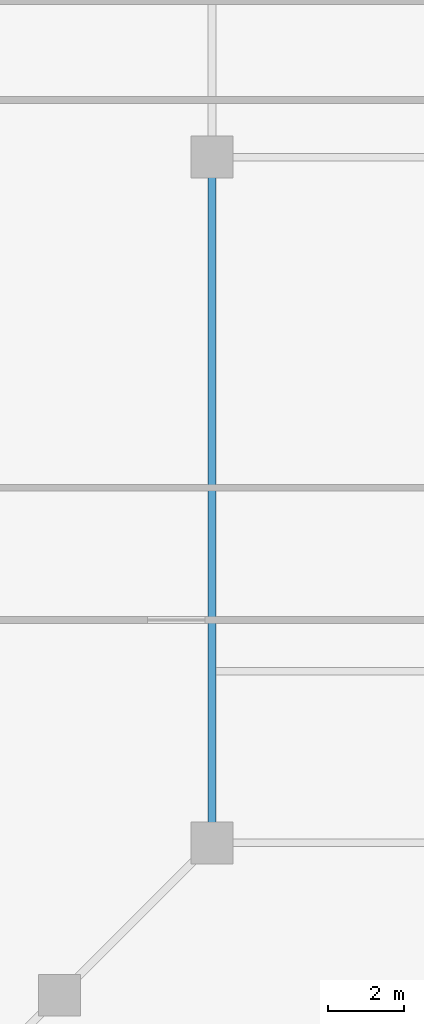
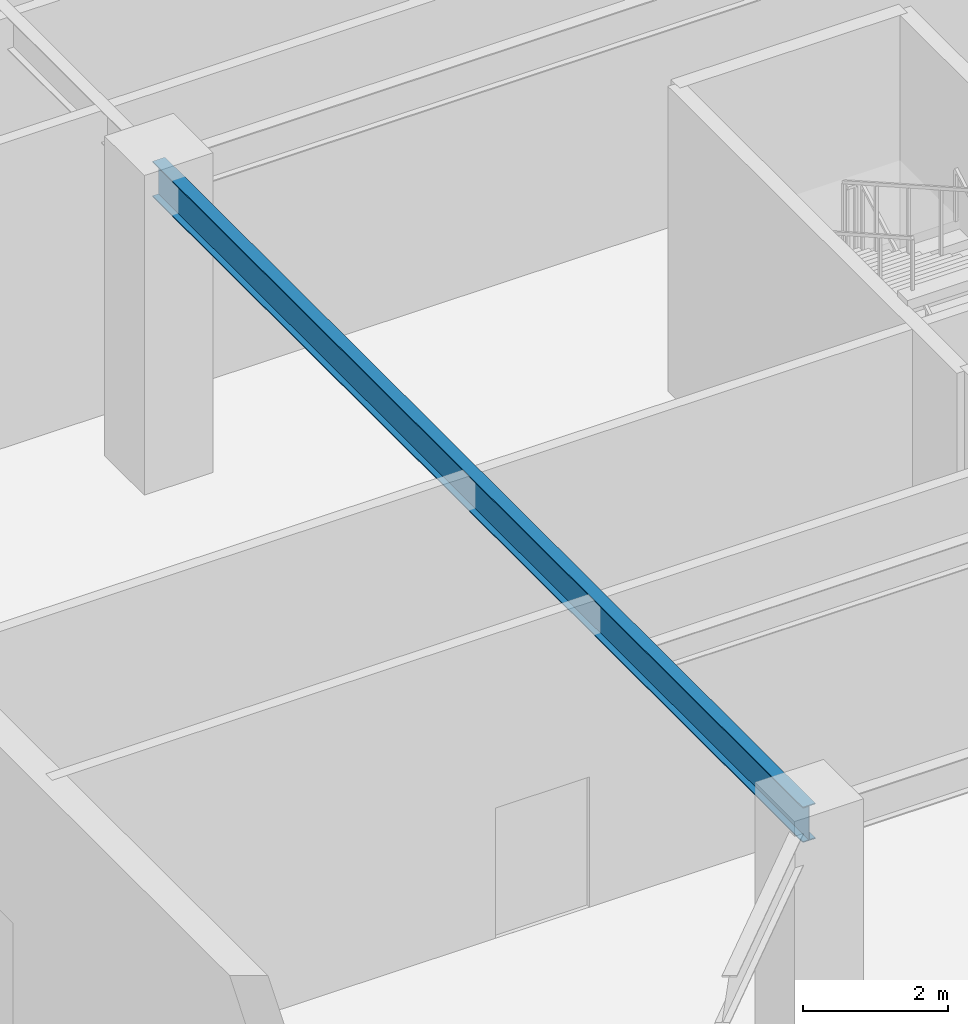
# One storey, part 8 of 30: 1 beam.
"""IFC4 building model written with IfcOpenShell, lengths in metres."""

from ifc_helpers import new_model, si_unit, direction, frame, origin, origin_2d, place, context, subcontext, project, spatial, i_section, extrude, source, transform, mapped, material, material_profile, profile_set, type_object, element, save


model = new_model("IFC4")

# Units and contexts
model_context = context("Model", 3, precision=1e-05, world=origin(), true_north=direction((0.0, 1.0)))
body_context = subcontext(model_context, "Body", "Model", "MODEL_VIEW")
ifc_project = project(units=[si_unit("LENGTHUNIT", "METRE"), si_unit("AREAUNIT", "SQUARE_METRE"), si_unit("VOLUMEUNIT", "CUBIC_METRE"), si_unit("PLANEANGLEUNIT", "RADIAN"), si_unit("MASSUNIT", "GRAM", prefix="KILO")], contexts=[model_context])

# Site, building, storey
site_placement = place(None, origin())
site = spatial("IfcSite", under=ifc_project, at=site_placement, CompositionType="ELEMENT")
building_placement = place(site_placement, origin())
building = spatial("IfcBuilding", under=site, at=building_placement, Name="Liaohun Quay Tower", CompositionType="ELEMENT")
storey_placement = place(building_placement, origin())
storey = spatial("IfcBuildingStorey", under=building, at=storey_placement, Name="L01", CompositionType="ELEMENT", Elevation=0.0)

# Beam
ifc_material = material(Name="Steel Q355D", Category="steel")
ifc_material_profile = material_profile(ifc_material, i_section(OverallWidth=0.199951171875, OverallDepth=0.60009765625, WebThickness=0.010986328125, FlangeThickness=0.01708984375, at=origin_2d()), Name="HN600x200x11x17")
ifc_profile_set = profile_set([ifc_material_profile], Name="Steel Q355D")
beam_type = type_object("IfcBeamType", Name="BM-POD-G1", PredefinedType="BEAM", material=ifc_profile_set)
shared_shape = source(origin(), body_context, "Body", "SweptSolid", [
    extrude(i_section(OverallWidth=0.199951171875, OverallDepth=0.60009765625, WebThickness=0.010986328125, FlangeThickness=0.01708984375, at=origin_2d()), origin(), (0.0, 0.0, 1.0), 18.0),
])
beam_placement = place(storey_placement, frame((24.0, 24.0, 4.85009765625), z_axis=(0.0, 1.0, 0.0), x_axis=(-1.0, 0.0, 0.0)))
element("IfcBeam", 1, at=beam_placement, inside=storey, type_object=beam_type, Name="L01 Primary Grid Girder PG01-PG06", PredefinedType="BEAM", context=body_context, shape_type="MappedRepresentation", body=[
    mapped(shared_shape, transform((0.0, 0.0, 0.0), x_axis=(1.0, 0.0, 0.0), y_axis=(0.0, 1.0, 0.0), z_axis=(0.0, 0.0, 1.0), scale=1.0)),
])

save(model, "model.ifc")
